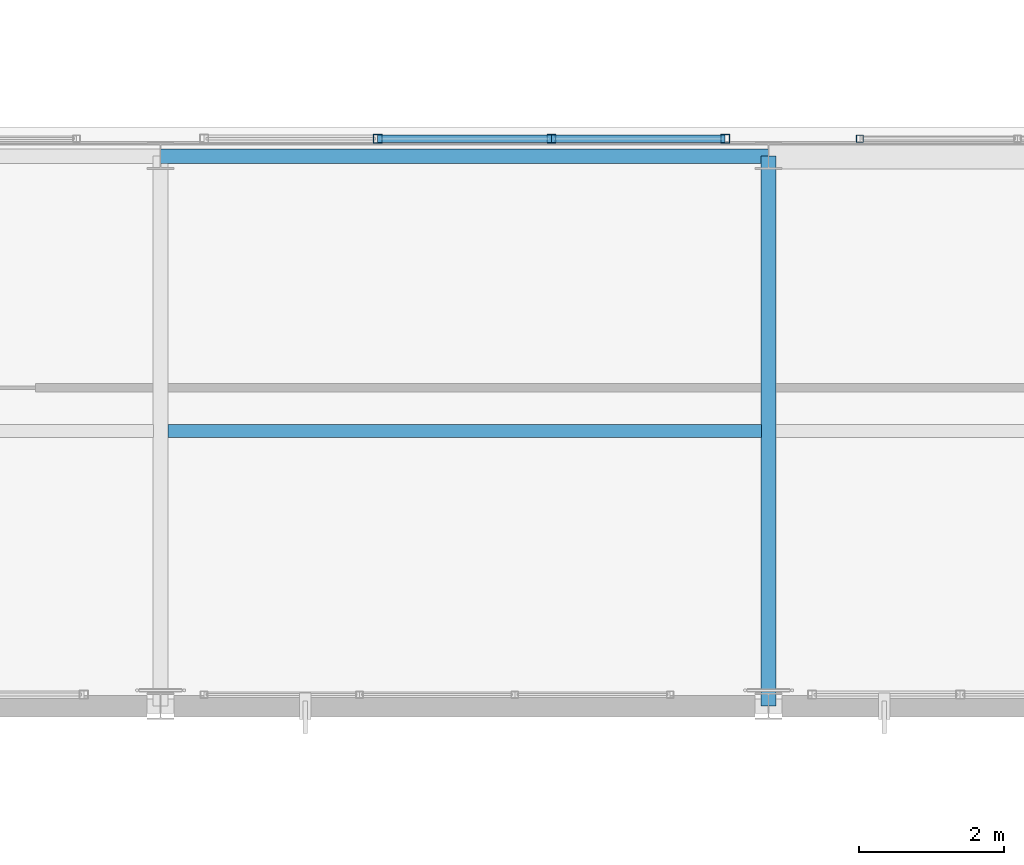
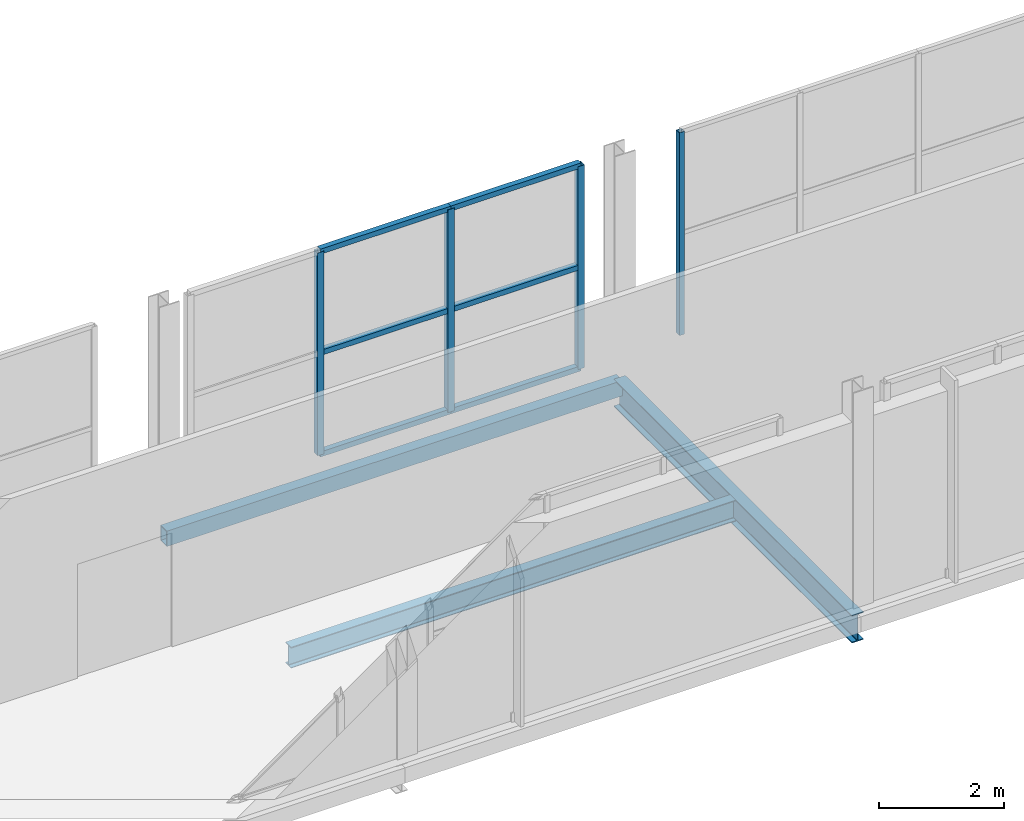
# One storey, part 137 of 217: 10 members, 3 beams, 2 elements without a shape of their own.
"""IFC4 building model written with IfcOpenShell, lengths in metres."""

from ifc_helpers import new_model, si_unit, direction, frame, origin, origin_2d, place, context, subcontext, project, spatial, hollow_rectangle, i_section, extrude, material, material_profile, profile_set, type_object, element, aggregate, save


model = new_model("IFC4")

# Units and contexts
model_context = context("Model", 3, precision=1e-05, world=origin(), true_north=direction((0.0, 1.0)))
body_context = subcontext(model_context, "Body", "Model", "MODEL_VIEW")
ifc_project = project(units=[si_unit("LENGTHUNIT", "METRE"), si_unit("AREAUNIT", "SQUARE_METRE"), si_unit("VOLUMEUNIT", "CUBIC_METRE"), si_unit("PLANEANGLEUNIT", "RADIAN"), si_unit("MASSUNIT", "GRAM", prefix="KILO")], contexts=[model_context])

# Site, building, storey
site_placement = place(None, origin())
site = spatial("IfcSite", under=ifc_project, at=site_placement, CompositionType="ELEMENT")
building_placement = place(site_placement, origin())
building = spatial("IfcBuilding", under=site, at=building_placement, Name="Zuvorla Pavilion Media Centre", CompositionType="ELEMENT")
storey_placement = place(building_placement, frame((0.0, 0.0, 9.60009765625)))
storey = spatial("IfcBuildingStorey", under=building, at=storey_placement, Name="L02", CompositionType="ELEMENT", Elevation=9.60009765625)

# Beams
ifc_material_1 = material(Name="Steel S355", Category="steel")
ifc_material_profile_1 = material_profile(ifc_material_1, hollow_rectangle(XDim=0.199951171875, YDim=0.300048828125, WallThickness=0.012451171875, at=origin_2d()), Name="RHS 300x200x12.5")
ifc_profile_set_1 = profile_set([ifc_material_profile_1], Name="Steel S355")
beam_type_1 = type_object("IfcBeamType", Name="BM-SP-RHS300", PredefinedType="SPANDREL", material=ifc_profile_set_1)
beam_1_placement = place(storey_placement, frame((134.0, 51.60009765625, -0.418212890625), z_axis=(1.0, 0.0, 0.0), x_axis=(0.0, 1.0, 0.0)))
element("IfcBeam", 1, at=beam_1_placement, inside=storey, type_object=beam_type_1, Name="L02 spandrel SP01 849", PredefinedType="SPANDREL", context=body_context, shape_type="SweptSolid", body=[
    extrude(hollow_rectangle(XDim=0.199951171875, YDim=0.300048828125, WallThickness=0.012451171875, at=origin_2d()), origin(), (0.0, 0.0, 1.0), 8.39990234375),
])
ifc_material_profile_2 = material_profile(ifc_material_1, i_section(OverallWidth=0.1787109375, OverallDepth=0.409423828125, WebThickness=0.0087890625, FlangeThickness=0.014404296875, FilletRadius=0.01025390625, at=origin_2d()), Name="UB 406x178x67")
ifc_profile_set_2 = profile_set([ifc_material_profile_2], Name="Steel S355")
beam_type_2 = type_object("IfcBeamType", Name="BM-UB406", PredefinedType="JOIST", material=ifc_profile_set_2)
beam_2_placement = place(storey_placement, frame((134.10009765625, 47.800048828125, -0.472900390625), z_axis=(1.0, 0.0, 0.0), x_axis=(0.0, 1.0, 0.0)))
element("IfcBeam", 2, at=beam_2_placement, inside=storey, type_object=beam_type_2, Name="L02 joist J02 1036", PredefinedType="JOIST", context=body_context, shape_type="SweptSolid", body=[
    extrude(i_section(OverallWidth=0.1787109375, OverallDepth=0.409423828125, WebThickness=0.0087890625, FlangeThickness=0.014404296875, FilletRadius=0.01025390625, at=origin_2d()), origin(), (0.0, 0.0, 1.0), 8.199951171875),
])
ifc_material_profile_3 = material_profile(ifc_material_1, i_section(OverallWidth=0.2099609375, OverallDepth=0.53662109375, WebThickness=0.0107421875, FlangeThickness=0.017333984375, FilletRadius=0.0126953125, at=origin_2d()), Name="UB 533x210x101")
ifc_profile_set_3 = profile_set([ifc_material_profile_3], Name="Steel S355")
beam_type_3 = type_object("IfcBeamType", Name="BM-UB533", PredefinedType="BEAM", material=ifc_profile_set_3)
beam_3_placement = place(storey_placement, frame((142.39990234375, 44.0, -0.536376953125), z_axis=(0.0, 1.0, 0.0), x_axis=(-1.0, 0.0, 0.0)))
element("IfcBeam", 3, at=beam_3_placement, inside=storey, type_object=beam_type_3, Name="L02 beam B08 967", PredefinedType="BEAM", context=body_context, shape_type="SweptSolid", body=[
    extrude(i_section(OverallWidth=0.2099609375, OverallDepth=0.53662109375, WebThickness=0.0107421875, FlangeThickness=0.017333984375, FilletRadius=0.0126953125, at=origin_2d()), origin(), (0.0, 0.0, 1.0), 7.60009765625),
])

# Curtain wall, member
ifc_material_2 = material(Name="Unitised anodised aluminium and solar glass curtain wall", Category="aluminium")
curtain_wall_type_1 = type_object("IfcCurtainWallType", Name="CW-SYS-21", PredefinedType="USERDEFINED", material=ifc_material_2)
curtain_wall_1_placement = place(storey_placement, origin())
curtain_wall_1 = element("IfcCurtainWall", 4, at=curtain_wall_1_placement, inside=storey, type_object=curtain_wall_type_1, Name="L02 curtain wall CW21 84", ObjectType="CURTAIN WALL", PredefinedType="USERDEFINED")
ifc_material_3 = material(Name="Anodised aluminium 6063-T6", Category="aluminium")
ifc_material_profile_4 = material_profile(ifc_material_3, hollow_rectangle(XDim=0.10009765625, YDim=0.10009765625, WallThickness=0.00439453125, at=origin_2d()), Name="ALU MULL 100x100")
ifc_profile_set_4 = profile_set([ifc_material_profile_4], Name="Anodised aluminium 6063-T6")
member_type_1 = type_object("IfcMemberType", Name="CW-MULL-100", PredefinedType="MULLION", material=ifc_profile_set_4)
member_1_placement = place(storey_placement, frame((143.659912109375, 51.840087890625, 0.0), z_axis=(0.0, 0.0, 1.0), x_axis=(1.0, 0.0, 0.0)))
member_1 = element("IfcMember", 5, at=member_1_placement, type_object=member_type_1, Name="CW21 mullion 1", PredefinedType="MULLION", context=body_context, shape_type="SweptSolid", body=[
    extrude(hollow_rectangle(XDim=0.10009765625, YDim=0.10009765625, WallThickness=0.00439453125, at=origin_2d()), origin(), (0.0, 0.0, 1.0), 3.949951171875),
])
aggregate(curtain_wall_1, [member_1])

# Curtain wall, members
curtain_wall_type_2 = type_object("IfcCurtainWallType", Name="CW-SYS-55", PredefinedType="USERDEFINED", material=ifc_material_2)
curtain_wall_2_placement = place(storey_placement, origin())
curtain_wall_2 = element("IfcCurtainWall", 6, at=curtain_wall_2_placement, inside=storey, type_object=curtain_wall_type_2, Name="L02 curtain wall CW55 82", ObjectType="CURTAIN WALL", PredefinedType="USERDEFINED")
ifc_material_profile_5 = material_profile(ifc_material_3, hollow_rectangle(XDim=0.1201171875, YDim=0.1201171875, WallThickness=0.0048828125, at=origin_2d()), Name="ALU MULL 120x120")
ifc_profile_set_5 = profile_set([ifc_material_profile_5], Name="Anodised aluminium 6063-T6")
member_type_2 = type_object("IfcMemberType", Name="CW-MULL-120", PredefinedType="MULLION", material=ifc_profile_set_5)
member_2_placement = place(storey_placement, frame((137.0, 51.840087890625, 0.0), z_axis=(0.0, 0.0, 1.0), x_axis=(1.0, 0.0, 0.0)))
member_2 = element("IfcMember", 7, at=member_2_placement, type_object=member_type_2, Name="CW55 mullion 2", PredefinedType="MULLION", context=body_context, shape_type="SweptSolid", body=[
    extrude(hollow_rectangle(XDim=0.1201171875, YDim=0.1201171875, WallThickness=0.0048828125, at=origin_2d()), origin(), (0.0, 0.0, 1.0), 3.949951171875),
])
member_3_placement = place(storey_placement, frame((139.39990234375, 51.840087890625, 0.0), z_axis=(0.0, 0.0, 1.0), x_axis=(1.0, 0.0, 0.0)))
member_3 = element("IfcMember", 8, at=member_3_placement, type_object=member_type_2, Name="CW55 mullion 3", PredefinedType="MULLION", context=body_context, shape_type="SweptSolid", body=[
    extrude(hollow_rectangle(XDim=0.1201171875, YDim=0.1201171875, WallThickness=0.0048828125, at=origin_2d()), origin(), (0.0, 0.0, 1.0), 3.949951171875),
])
member_4_placement = place(storey_placement, frame((141.7998046875, 51.840087890625, 0.0), z_axis=(0.0, 0.0, 1.0), x_axis=(1.0, 0.0, 0.0)))
member_4 = element("IfcMember", 9, at=member_4_placement, type_object=member_type_2, Name="CW55 mullion 4", PredefinedType="MULLION", context=body_context, shape_type="SweptSolid", body=[
    extrude(hollow_rectangle(XDim=0.1201171875, YDim=0.1201171875, WallThickness=0.0048828125, at=origin_2d()), origin(), (0.0, 0.0, 1.0), 3.949951171875),
])
ifc_material_profile_6 = material_profile(ifc_material_3, hollow_rectangle(XDim=0.10009765625, YDim=0.10009765625, WallThickness=0.00439453125, at=origin_2d()), Name="ALU TRAN 100x100")
ifc_profile_set_6 = profile_set([ifc_material_profile_6], Name="Anodised aluminium 6063-T6")
member_type_3 = type_object("IfcMemberType", Name="CW-TRAN-100", PredefinedType="USERDEFINED", material=ifc_profile_set_6)
member_5_placement = place(storey_placement, frame((137.0, 51.840087890625, 0.0), z_axis=(1.0, 0.0, 0.0), x_axis=(0.0, 1.0, 0.0)))
member_5 = element("IfcMember", 10, at=member_5_placement, type_object=member_type_3, Name="CW55 transom 2.1", ObjectType="TRANSOM", PredefinedType="USERDEFINED", context=body_context, shape_type="SweptSolid", body=[
    extrude(hollow_rectangle(XDim=0.10009765625, YDim=0.10009765625, WallThickness=0.00439453125, at=origin_2d()), origin(), (0.0, 0.0, 1.0), 2.39990234375),
])
member_6_placement = place(storey_placement, frame((137.0, 51.840087890625, 1.974853515625), z_axis=(1.0, 0.0, 0.0), x_axis=(0.0, 1.0, 0.0)))
member_6 = element("IfcMember", 11, at=member_6_placement, type_object=member_type_3, Name="CW55 transom 2.2", ObjectType="TRANSOM", PredefinedType="USERDEFINED", context=body_context, shape_type="SweptSolid", body=[
    extrude(hollow_rectangle(XDim=0.10009765625, YDim=0.10009765625, WallThickness=0.00439453125, at=origin_2d()), origin(), (0.0, 0.0, 1.0), 2.39990234375),
])
member_7_placement = place(storey_placement, frame((137.0, 51.840087890625, 3.949951171875), z_axis=(1.0, 0.0, 0.0), x_axis=(0.0, 1.0, 0.0)))
member_7 = element("IfcMember", 12, at=member_7_placement, type_object=member_type_3, Name="CW55 transom 2.3", ObjectType="TRANSOM", PredefinedType="USERDEFINED", context=body_context, shape_type="SweptSolid", body=[
    extrude(hollow_rectangle(XDim=0.10009765625, YDim=0.10009765625, WallThickness=0.00439453125, at=origin_2d()), origin(), (0.0, 0.0, 1.0), 2.39990234375),
])
member_8_placement = place(storey_placement, frame((139.39990234375, 51.840087890625, 0.0), z_axis=(1.0, 0.0, 0.0), x_axis=(0.0, 1.0, 0.0)))
member_8 = element("IfcMember", 13, at=member_8_placement, type_object=member_type_3, Name="CW55 transom 3.1", ObjectType="TRANSOM", PredefinedType="USERDEFINED", context=body_context, shape_type="SweptSolid", body=[
    extrude(hollow_rectangle(XDim=0.10009765625, YDim=0.10009765625, WallThickness=0.00439453125, at=origin_2d()), origin(), (0.0, 0.0, 1.0), 2.39990234375),
])
member_9_placement = place(storey_placement, frame((139.39990234375, 51.840087890625, 1.974853515625), z_axis=(1.0, 0.0, 0.0), x_axis=(0.0, 1.0, 0.0)))
member_9 = element("IfcMember", 14, at=member_9_placement, type_object=member_type_3, Name="CW55 transom 3.2", ObjectType="TRANSOM", PredefinedType="USERDEFINED", context=body_context, shape_type="SweptSolid", body=[
    extrude(hollow_rectangle(XDim=0.10009765625, YDim=0.10009765625, WallThickness=0.00439453125, at=origin_2d()), origin(), (0.0, 0.0, 1.0), 2.39990234375),
])
member_10_placement = place(storey_placement, frame((139.39990234375, 51.840087890625, 3.949951171875), z_axis=(1.0, 0.0, 0.0), x_axis=(0.0, 1.0, 0.0)))
member_10 = element("IfcMember", 15, at=member_10_placement, type_object=member_type_3, Name="CW55 transom 3.3", ObjectType="TRANSOM", PredefinedType="USERDEFINED", context=body_context, shape_type="SweptSolid", body=[
    extrude(hollow_rectangle(XDim=0.10009765625, YDim=0.10009765625, WallThickness=0.00439453125, at=origin_2d()), origin(), (0.0, 0.0, 1.0), 2.39990234375),
])
aggregate(curtain_wall_2, [member_2, member_3, member_4, member_5, member_6, member_7, member_8, member_9, member_10])

save(model, "model.ifc")
